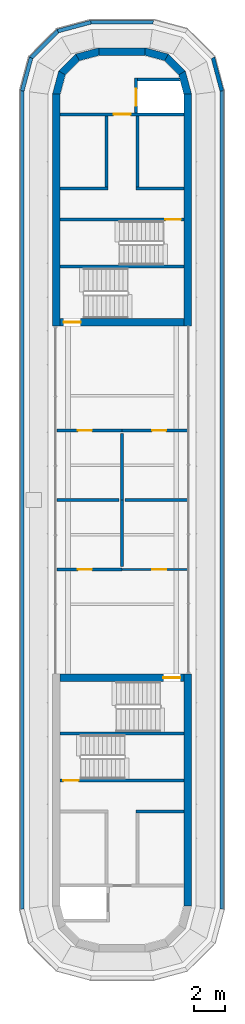
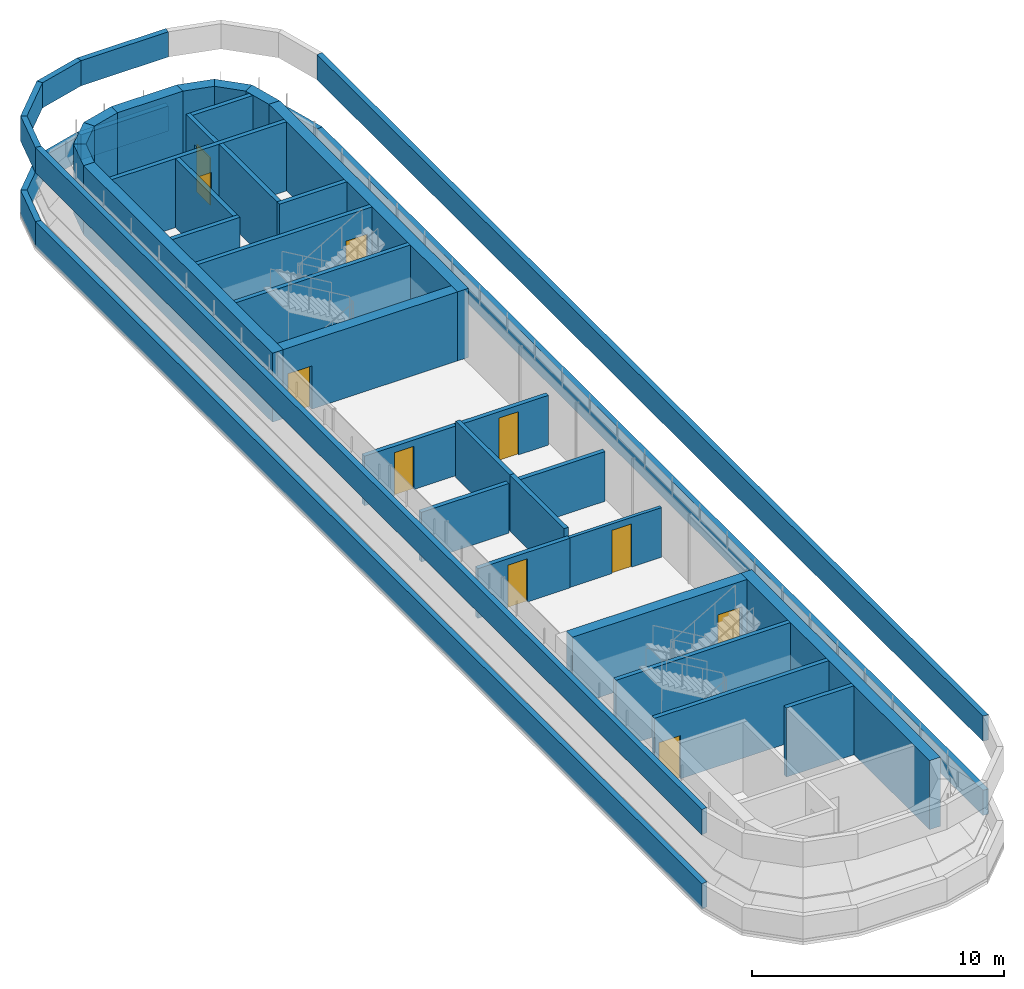
# One storey, part 3 of 6: 45 walls, 10 doors, 10 openings.
"""IFC4 building model written with IfcOpenShell, lengths in metres."""

from ifc_helpers import new_model, si_unit, direction, frame, frame_2d, origin, place, context, subcontext, project, spatial, polyline, rectangle, outline, extrude, material, layer, layer_set, type_object, element, fill, save


model = new_model("IFC4")

# Units and contexts
model_context = context("Model", 3, precision=1e-05, world=origin(), true_north=direction((0.0, 1.0)))
body_context = subcontext(model_context, "Body", "Model", "MODEL_VIEW")
ifc_project = project(units=[si_unit("LENGTHUNIT", "METRE"), si_unit("AREAUNIT", "SQUARE_METRE"), si_unit("VOLUMEUNIT", "CUBIC_METRE"), si_unit("PLANEANGLEUNIT", "RADIAN"), si_unit("MASSUNIT", "GRAM", prefix="KILO")], contexts=[model_context])

# Site, building, storey
site_placement = place(None, origin())
site = spatial("IfcSite", under=ifc_project, at=site_placement, CompositionType="ELEMENT")
building_placement = place(site_placement, origin())
building = spatial("IfcBuilding", under=site, at=building_placement, Name="Zarbagh Exchange Tower", CompositionType="ELEMENT")
storey_placement = place(building_placement, frame((0.0, 0.0, 316.800048828125)))
storey = spatial("IfcBuildingStorey", under=building, at=storey_placement, Name="L78", CompositionType="ELEMENT", Elevation=316.800048828125)

# Wall, opening, door
ifc_material_1 = material(Name="Plasterboard partition")
ifc_layer_1 = layer(ifc_material_1, 0.14990234375)
ifc_layer_set_1 = layer_set([ifc_layer_1], Name="Board partition 150")
wall_type_1 = type_object("IfcWallType", Name="Board partition 150", PredefinedType="PARTITIONING", material=ifc_layer_set_1)
wall_1_placement = place(storey_placement, frame((0.0, -4.5, 0.0), z_axis=(0.0, 0.0, 1.0), x_axis=(1.0, 0.0, 0.0)))
wall_1 = element("IfcWall", 1, at=wall_1_placement, inside=storey, type_object=wall_type_1, Name="WL-L78-W004", PredefinedType="PARTITIONING", context=body_context, shape_type="SweptSolid", body=[
    extrude(rectangle(XDim=4.219970703125, YDim=0.14990234375, at=frame_2d((2.10986328125, 0.0))), origin(), (0.0, 0.0, 1.0), 2.41064453125),
])
opening_1_placement = place(wall_1_placement, frame((1.949951171875, 0.0, 0.0)))
opening_1 = element("IfcOpeningElement", 2, at=opening_1_placement, cuts=wall_1, Name="Opening D37", PredefinedType="OPENING", context=body_context, shape_type="SweptSolid", body=[
    extrude(rectangle(XDim=0.89990234375, YDim=2.10009765625, at=frame_2d((0.449951171875, 1.050048828125))), frame((0.0, 0.0849609375, 0.0), z_axis=(0.0, -1.0, 0.0), x_axis=(1.0, 0.0, 0.0)), (0.0, 0.0, 1.0), 0.169921875),
])
ifc_material_2 = material(Name="Timber door leaf", Category="wood")
door_type_1 = type_object("IfcDoorType", Name="Door single 900x2100", OperationType="SINGLE_SWING_LEFT", PredefinedType="DOOR", material=ifc_material_2)
door_1_placement = place(opening_1_placement, origin())
door_1 = element("IfcDoor", 3, at=door_1_placement, inside=storey, type_object=door_type_1, Name="D04", OperationType="SINGLE_SWING_LEFT", OverallHeight=2.10009765625, OverallWidth=0.89990234375, PredefinedType="DOOR", context=body_context, shape_type="SweptSolid", body=[
    extrude(rectangle(XDim=0.89990234375, YDim=2.10009765625, at=frame_2d((0.449951171875, 1.050048828125))), frame((0.0, 0.02490234375, 0.0), z_axis=(0.0, -1.0, 0.0), x_axis=(1.0, 0.0, 0.0)), (0.0, 0.0, 1.0), 0.050048828125),
])
fill(opening_1, door_1)

ifc_material_3 = material(Name="Concrete block partition", Category="concrete")
ifc_layer_2 = layer(ifc_material_3, 0.199951171875)
ifc_layer_set_2 = layer_set([ifc_layer_2], Name="Fire-rated block partition 200 EI 60")
wall_type_2 = type_object("IfcWallType", Name="Fire-rated block partition 200 EI 60", PredefinedType="PARTITIONING", material=ifc_layer_set_2)
wall_2_placement = place(storey_placement, frame((0.0, 4.5, 0.0), z_axis=(0.0, 0.0, 1.0), x_axis=(-1.0, 0.0, 0.0)))
wall_2 = element("IfcWall", 4, at=wall_2_placement, inside=storey, type_object=wall_type_2, Name="WL-L78-W001", PredefinedType="PARTITIONING", context=body_context, shape_type="SweptSolid", body=[
    extrude(rectangle(XDim=4.219970703125, YDim=0.199951171875, at=frame_2d((2.10986328125, 0.0))), origin(), (0.0, 0.0, 1.0), 2.41064453125),
])
opening_2_placement = place(wall_2_placement, frame((1.949951171875, 0.0, 0.0)))
opening_2 = element("IfcOpeningElement", 5, at=opening_2_placement, cuts=wall_2, Name="Opening D01", PredefinedType="OPENING", context=body_context, shape_type="SweptSolid", body=[
    extrude(rectangle(XDim=0.89990234375, YDim=2.10009765625, at=frame_2d((0.449951171875, 1.050048828125))), frame((0.0, 0.10986328125, 0.0), z_axis=(0.0, -1.0, 0.0), x_axis=(1.0, 0.0, 0.0)), (0.0, 0.0, 1.0), 0.219970703125),
])
ifc_material_4 = material(Name="Steel door set", Category="steel")
door_type_2 = type_object("IfcDoorType", Name="Door single 900x2100 EI 60", OperationType="SINGLE_SWING_LEFT", PredefinedType="DOOR", material=ifc_material_4)
door_2_placement = place(opening_2_placement, origin())
door_2 = element("IfcDoor", 6, at=door_2_placement, inside=storey, type_object=door_type_2, Name="D01", OperationType="SINGLE_SWING_LEFT", OverallHeight=2.10009765625, OverallWidth=0.89990234375, PredefinedType="DOOR", context=body_context, shape_type="SweptSolid", body=[
    extrude(rectangle(XDim=0.89990234375, YDim=2.10009765625, at=frame_2d((0.449951171875, 1.050048828125))), frame((0.0, 0.02490234375, 0.0), z_axis=(0.0, -1.0, 0.0), x_axis=(1.0, 0.0, 0.0)), (0.0, 0.0, 1.0), 0.050048828125),
])
fill(opening_2, door_2)

wall_3_placement = place(storey_placement, frame((4.219970703125, 4.5, 0.0), z_axis=(0.0, 0.0, 1.0), x_axis=(-1.0, 0.0, 0.0)))
wall_3 = element("IfcWall", 7, at=wall_3_placement, inside=storey, type_object=wall_type_2, Name="WL-L78-W002", PredefinedType="PARTITIONING", context=body_context, shape_type="SweptSolid", body=[
    extrude(rectangle(XDim=4.219970703125, YDim=0.199951171875, at=frame_2d((2.10986328125, 0.0))), origin(), (0.0, 0.0, 1.0), 2.41064453125),
])
opening_3_placement = place(wall_3_placement, frame((1.3701171875, 0.0, 0.0)))
opening_3 = element("IfcOpeningElement", 8, at=opening_3_placement, cuts=wall_3, Name="Opening D02", PredefinedType="OPENING", context=body_context, shape_type="SweptSolid", body=[
    extrude(rectangle(XDim=0.89990234375, YDim=2.10009765625, at=frame_2d((0.449951171875, 1.050048828125))), frame((0.0, 0.10986328125, 0.0), z_axis=(0.0, -1.0, 0.0), x_axis=(1.0, 0.0, 0.0)), (0.0, 0.0, 1.0), 0.219970703125),
])
door_3_placement = place(opening_3_placement, origin())
door_3 = element("IfcDoor", 9, at=door_3_placement, inside=storey, type_object=door_type_2, Name="D02", OperationType="SINGLE_SWING_LEFT", OverallHeight=2.10009765625, OverallWidth=0.89990234375, PredefinedType="DOOR", context=body_context, shape_type="SweptSolid", body=[
    extrude(rectangle(XDim=0.89990234375, YDim=2.10009765625, at=frame_2d((0.449951171875, 1.050048828125))), frame((0.0, 0.02490234375, 0.0), z_axis=(0.0, -1.0, 0.0), x_axis=(1.0, 0.0, 0.0)), (0.0, 0.0, 1.0), 0.050048828125),
])
fill(opening_3, door_3)

wall_4_placement = place(storey_placement, frame((-4.219970703125, -4.5, 0.0), z_axis=(0.0, 0.0, 1.0), x_axis=(1.0, 0.0, 0.0)))
wall_4 = element("IfcWall", 10, at=wall_4_placement, inside=storey, type_object=wall_type_2, Name="WL-L78-W003", PredefinedType="PARTITIONING", context=body_context, shape_type="SweptSolid", body=[
    extrude(rectangle(XDim=4.219970703125, YDim=0.199951171875, at=frame_2d((2.10986328125, 0.0))), origin(), (0.0, 0.0, 1.0), 2.41064453125),
])
opening_4_placement = place(wall_4_placement, frame((1.3701171875, 0.0, 0.0)))
opening_4 = element("IfcOpeningElement", 11, at=opening_4_placement, cuts=wall_4, Name="Opening D03", PredefinedType="OPENING", context=body_context, shape_type="SweptSolid", body=[
    extrude(rectangle(XDim=0.89990234375, YDim=2.10009765625, at=frame_2d((0.449951171875, 1.050048828125))), frame((0.0, 0.10986328125, 0.0), z_axis=(0.0, -1.0, 0.0), x_axis=(1.0, 0.0, 0.0)), (0.0, 0.0, 1.0), 0.219970703125),
])
door_4_placement = place(opening_4_placement, origin())
door_4 = element("IfcDoor", 12, at=door_4_placement, inside=storey, type_object=door_type_2, Name="D03", OperationType="SINGLE_SWING_LEFT", OverallHeight=2.10009765625, OverallWidth=0.89990234375, PredefinedType="DOOR", context=body_context, shape_type="SweptSolid", body=[
    extrude(rectangle(XDim=0.89990234375, YDim=2.10009765625, at=frame_2d((0.449951171875, 1.050048828125))), frame((0.0, 0.02490234375, 0.0), z_axis=(0.0, -1.0, 0.0), x_axis=(1.0, 0.0, 0.0)), (0.0, 0.0, 1.0), 0.050048828125),
])
fill(opening_4, door_4)

# Walls
wall_5_placement = place(storey_placement, frame((0.0, 4.300048828125, 0.0), z_axis=(0.0, 0.0, 1.0), x_axis=(0.0, -1.0, 0.0)))
element("IfcWall", 13, at=wall_5_placement, inside=storey, type_object=wall_type_2, Name="WL-L78-W005", PredefinedType="PARTITIONING", context=body_context, shape_type="SweptSolid", body=[
    extrude(rectangle(XDim=4.300048828125, YDim=0.199951171875, at=frame_2d((2.14990234375, 0.0))), origin(), (0.0, 0.0, 1.0), 2.72802734375),
])
for number, where, z_axis, x_axis, name in (
    (14, (-0.199951171875, 0.0, 0.0), (0.0, 0.0, 1.0), (-1.0, 0.0, 0.0), "WL-L78-W006"),
    (15, (4.219970703125, 0.0, 0.0), (0.0, 0.0, 1.0), (-1.0, 0.0, 0.0), "WL-L78-W007"),
):
    element("IfcWall", number, at=place(storey_placement, frame(where, z_axis=z_axis, x_axis=x_axis)), inside=storey, type_object=wall_type_2, Name=name, PredefinedType="PARTITIONING", context=body_context, shape_type="SweptSolid", body=[
        extrude(rectangle(XDim=4.02001953125, YDim=0.199951171875, at=frame_2d((2.010009765625, 0.0))), origin(), (0.0, 0.0, 1.0), 2.41064453125),
    ])
wall_6_placement = place(storey_placement, frame((0.0, 0.0, 0.0), z_axis=(0.0, 0.0, 1.0), x_axis=(0.0, -1.0, 0.0)))
element("IfcWall", 16, at=wall_6_placement, inside=storey, type_object=wall_type_2, Name="WL-L78-W008", PredefinedType="PARTITIONING", context=body_context, shape_type="SweptSolid", body=[
    extrude(rectangle(XDim=4.300048828125, YDim=0.199951171875, at=frame_2d((2.14990234375, 0.0))), origin(), (0.0, 0.0, 1.0), 2.72802734375),
])
ifc_material_5 = material(Name="Concrete C40/50", Category="concrete")
ifc_layer_3 = layer(ifc_material_5, 0.25)
ifc_layer_set_3 = layer_set([ifc_layer_3], Name="Parapet wall, concrete C40/50")
wall_type_3 = type_object("IfcWallType", Name="Parapet wall, concrete C40/50", PredefinedType="PARAPET", material=ifc_layer_set_3)
wall_7_placement = place(storey_placement, origin())
element("IfcWall", 17, at=wall_7_placement, inside=storey, type_object=wall_type_3, Name="roof parapet", PredefinedType="PARAPET", context=body_context, shape_type="SweptSolid", body=[
    extrude(outline(polyline([(-6.580078125, -26.484375), (-6.580078125, 26.484375), (-6.330078125, 26.451416015625), (-6.330078125, -26.451416015625), (-6.580078125, -26.484375)])), origin(), (0.0, 0.0, 1.0), 1.219970703125),
])
wall_8_placement = place(storey_placement, origin())
element("IfcWall", 18, at=wall_8_placement, inside=storey, type_object=wall_type_3, Name="roof parapet", PredefinedType="PARAPET", context=body_context, shape_type="SweptSolid", body=[
    extrude(outline(polyline([(-6.580078125, 26.484375), (-5.993896484375, 28.67138671875), (-5.769775390625, 28.5419921875), (-6.330078125, 26.451416015625), (-6.580078125, 26.484375)])), origin(), (0.0, 0.0, 1.0), 1.219970703125),
])
wall_9_placement = place(storey_placement, origin())
element("IfcWall", 19, at=wall_9_placement, inside=storey, type_object=wall_type_3, Name="roof parapet", PredefinedType="PARAPET", context=body_context, shape_type="SweptSolid", body=[
    extrude(outline(polyline([(-5.993896484375, 28.67138671875), (-4.221435546875, 30.444091796875), (-4.092041015625, 30.2197265625), (-5.769775390625, 28.5419921875), (-5.993896484375, 28.67138671875)])), origin(), (0.0, 0.0, 1.0), 1.219970703125),
])
wall_10_placement = place(storey_placement, origin())
element("IfcWall", 20, at=wall_10_placement, inside=storey, type_object=wall_type_3, Name="roof parapet", PredefinedType="PARAPET", context=body_context, shape_type="SweptSolid", body=[
    extrude(outline(polyline([(-4.221435546875, 30.444091796875), (-2.0341796875, 31.030029296875), (-2.00146484375, 30.780029296875), (-4.092041015625, 30.2197265625), (-4.221435546875, 30.444091796875)])), origin(), (0.0, 0.0, 1.0), 1.219970703125),
])
wall_11_placement = place(storey_placement, origin())
element("IfcWall", 21, at=wall_11_placement, inside=storey, type_object=wall_type_3, Name="roof parapet", PredefinedType="PARAPET", context=body_context, shape_type="SweptSolid", body=[
    extrude(outline(polyline([(-2.0341796875, 31.030029296875), (2.0341796875, 31.030029296875), (2.00146484375, 30.780029296875), (-2.00146484375, 30.780029296875), (-2.0341796875, 31.030029296875)])), origin(), (0.0, 0.0, 1.0), 1.219970703125),
])
wall_12_placement = place(storey_placement, origin())
element("IfcWall", 22, at=wall_12_placement, inside=storey, type_object=wall_type_3, Name="roof parapet", PredefinedType="PARAPET", context=body_context, shape_type="SweptSolid", body=[
    extrude(outline(polyline([(5.993896484375, 28.67138671875), (6.580078125, 26.484375), (6.330078125, 26.451416015625), (5.769775390625, 28.5419921875), (5.993896484375, 28.67138671875)])), origin(), (0.0, 0.0, 1.0), 1.219970703125),
])
wall_13_placement = place(storey_placement, origin())
element("IfcWall", 23, at=wall_13_placement, inside=storey, type_object=wall_type_3, Name="roof parapet", PredefinedType="PARAPET", context=body_context, shape_type="SweptSolid", body=[
    extrude(outline(polyline([(6.580078125, 26.484375), (6.580078125, -26.484375), (6.330078125, -26.451416015625), (6.330078125, 26.451416015625), (6.580078125, 26.484375)])), origin(), (0.0, 0.0, 1.0), 1.219970703125),
])
wall_14_placement = place(storey_placement, frame((0.0, 0.0, 3.599853515625)))
element("IfcWall", 24, at=wall_14_placement, inside=storey, type_object=wall_type_3, Name="roof parapet", PredefinedType="PARAPET", context=body_context, shape_type="SweptSolid", body=[
    extrude(outline(polyline([(-6.580078125, -26.484375), (-6.580078125, 26.484375), (-6.330078125, 26.451416015625), (-6.330078125, -26.451416015625), (-6.580078125, -26.484375)])), origin(), (0.0, 0.0, 1.0), 1.22021484375),
])
wall_15_placement = place(storey_placement, frame((0.0, 0.0, 3.599853515625)))
element("IfcWall", 25, at=wall_15_placement, inside=storey, type_object=wall_type_3, Name="roof parapet", PredefinedType="PARAPET", context=body_context, shape_type="SweptSolid", body=[
    extrude(outline(polyline([(-6.580078125, 26.484375), (-5.993896484375, 28.67138671875), (-5.769775390625, 28.5419921875), (-6.330078125, 26.451416015625), (-6.580078125, 26.484375)])), origin(), (0.0, 0.0, 1.0), 1.22021484375),
])
wall_16_placement = place(storey_placement, frame((0.0, 0.0, 3.599853515625)))
element("IfcWall", 26, at=wall_16_placement, inside=storey, type_object=wall_type_3, Name="roof parapet", PredefinedType="PARAPET", context=body_context, shape_type="SweptSolid", body=[
    extrude(outline(polyline([(-5.993896484375, 28.67138671875), (-4.221435546875, 30.444091796875), (-4.092041015625, 30.2197265625), (-5.769775390625, 28.5419921875), (-5.993896484375, 28.67138671875)])), origin(), (0.0, 0.0, 1.0), 1.22021484375),
])
wall_17_placement = place(storey_placement, frame((0.0, 0.0, 3.599853515625)))
element("IfcWall", 27, at=wall_17_placement, inside=storey, type_object=wall_type_3, Name="roof parapet", PredefinedType="PARAPET", context=body_context, shape_type="SweptSolid", body=[
    extrude(outline(polyline([(-4.221435546875, 30.444091796875), (-2.0341796875, 31.030029296875), (-2.00146484375, 30.780029296875), (-4.092041015625, 30.2197265625), (-4.221435546875, 30.444091796875)])), origin(), (0.0, 0.0, 1.0), 1.22021484375),
])
wall_18_placement = place(storey_placement, frame((0.0, 0.0, 3.599853515625)))
element("IfcWall", 28, at=wall_18_placement, inside=storey, type_object=wall_type_3, Name="roof parapet", PredefinedType="PARAPET", context=body_context, shape_type="SweptSolid", body=[
    extrude(outline(polyline([(-2.0341796875, 31.030029296875), (2.0341796875, 31.030029296875), (2.00146484375, 30.780029296875), (-2.00146484375, 30.780029296875), (-2.0341796875, 31.030029296875)])), origin(), (0.0, 0.0, 1.0), 1.22021484375),
])
wall_19_placement = place(storey_placement, frame((0.0, 0.0, 3.599853515625)))
element("IfcWall", 29, at=wall_19_placement, inside=storey, type_object=wall_type_3, Name="roof parapet", PredefinedType="PARAPET", context=body_context, shape_type="SweptSolid", body=[
    extrude(outline(polyline([(6.580078125, 26.484375), (6.580078125, -26.484375), (6.330078125, -26.451416015625), (6.330078125, 26.451416015625), (6.580078125, 26.484375)])), origin(), (0.0, 0.0, 1.0), 1.22021484375),
])
ifc_layer_4 = layer(ifc_material_5, 0.5)
ifc_layer_set_4 = layer_set([ifc_layer_4], Name="RC core corner wall 500 C40/50")
wall_type_4 = type_object("IfcWallType", Name="RC core corner wall 500 C40/50", PredefinedType="SHEAR", material=ifc_layer_set_4)
wall_20_placement = place(storey_placement, origin())
element("IfcWall", 30, at=wall_20_placement, inside=storey, type_object=wall_type_4, Name="CW10 core N corner W", PredefinedType="SHEAR", context=body_context, shape_type="SweptSolid", body=[
    extrude(outline(polyline([(-4.5, 26.25), (-4.09814453125, 27.75), (-3.6650390625, 27.5), (-4.0, 26.25), (-4.5, 26.25)])), origin(), (0.0, 0.0, 1.0), 3.349853515625),
])
wall_21_placement = place(storey_placement, origin())
element("IfcWall", 31, at=wall_21_placement, inside=storey, type_object=wall_type_4, Name="CW10 core N corner W", PredefinedType="SHEAR", context=body_context, shape_type="SweptSolid", body=[
    extrude(outline(polyline([(-4.09814453125, 27.75), (-3.0, 28.84814453125), (-2.75, 28.4150390625), (-3.6650390625, 27.5), (-4.09814453125, 27.75)])), origin(), (0.0, 0.0, 1.0), 3.349853515625),
])
wall_22_placement = place(storey_placement, origin())
element("IfcWall", 32, at=wall_22_placement, inside=storey, type_object=wall_type_4, Name="CW10 core N corner W", PredefinedType="SHEAR", context=body_context, shape_type="SweptSolid", body=[
    extrude(outline(polyline([(-3.0, 28.84814453125), (-1.5, 29.25), (-1.5, 28.75), (-2.75, 28.4150390625), (-3.0, 28.84814453125)])), origin(), (0.0, 0.0, 1.0), 3.349853515625),
])
wall_23_placement = place(storey_placement, origin())
element("IfcWall", 33, at=wall_23_placement, inside=storey, type_object=wall_type_4, Name="CW10 core N corner E", PredefinedType="SHEAR", context=body_context, shape_type="SweptSolid", body=[
    extrude(outline(polyline([(4.5, 26.25), (4.09814453125, 27.75), (3.6650390625, 27.5), (4.0, 26.25), (4.5, 26.25)])), origin(), (0.0, 0.0, 1.0), 3.349853515625),
])
wall_24_placement = place(storey_placement, origin())
element("IfcWall", 34, at=wall_24_placement, inside=storey, type_object=wall_type_4, Name="CW10 core N corner E", PredefinedType="SHEAR", context=body_context, shape_type="SweptSolid", body=[
    extrude(outline(polyline([(4.09814453125, 27.75), (3.0, 28.84814453125), (2.75, 28.4150390625), (3.6650390625, 27.5), (4.09814453125, 27.75)])), origin(), (0.0, 0.0, 1.0), 3.349853515625),
])
wall_25_placement = place(storey_placement, origin())
element("IfcWall", 35, at=wall_25_placement, inside=storey, type_object=wall_type_4, Name="CW10 core N corner E", PredefinedType="SHEAR", context=body_context, shape_type="SweptSolid", body=[
    extrude(outline(polyline([(3.0, 28.84814453125), (1.5, 29.25), (1.5, 28.75), (2.75, 28.4150390625), (3.0, 28.84814453125)])), origin(), (0.0, 0.0, 1.0), 3.349853515625),
])
ifc_layer_5 = layer(ifc_material_5, 0.5)
ifc_layer_set_5 = layer_set([ifc_layer_5], Name="RC core wall 500 C40/50")
wall_type_5 = type_object("IfcWallType", Name="RC core wall 500 C40/50", PredefinedType="SHEAR", material=ifc_layer_set_5)
for number, where, z_axis, x_axis, name in (
    (36, (-4.25, 11.25, 0.0), (0.0, 0.0, 1.0), (0.0, 1.0, 0.0), "CW9 core N W"),
    (37, (4.25, 11.25, 0.0), (0.0, 0.0, 1.0), (0.0, 1.0, 0.0), "CW9 core N E"),
):
    element("IfcWall", number, at=place(storey_placement, frame(where, z_axis=z_axis, x_axis=x_axis)), inside=storey, type_object=wall_type_5, Name=name, PredefinedType="SHEAR", context=body_context, shape_type="SweptSolid", body=[
        extrude(rectangle(XDim=15.0, YDim=0.5, at=frame_2d((7.5, 0.0))), origin(), (0.0, 0.0, 1.0), 3.349853515625),
    ])

# Wall, opening, door
wall_26_placement = place(storey_placement, frame((-4.0, 11.5, 0.0), z_axis=(0.0, 0.0, 1.0), x_axis=(1.0, 0.0, 0.0)))
wall_26 = element("IfcWall", 38, at=wall_26_placement, inside=storey, type_object=wall_type_5, Name="CW9 core N inner end", PredefinedType="SHEAR", context=body_context, shape_type="SweptSolid", body=[
    extrude(rectangle(XDim=8.0, YDim=0.5, at=frame_2d((4.0, 0.0))), origin(), (0.0, 0.0, 1.0), 3.349853515625),
])
opening_5_placement = place(wall_26_placement, frame((0.22509765625, 0.0, 0.0)))
opening_5 = element("IfcOpeningElement", 39, at=opening_5_placement, cuts=wall_26, Name="Opening SD1-1100", PredefinedType="OPENING", context=body_context, shape_type="SweptSolid", body=[
    extrude(rectangle(XDim=1.10009765625, YDim=2.10009765625, at=frame_2d((0.550048828125, 1.050048828125))), frame((0.0, 0.260009765625, 0.0), z_axis=(0.0, -1.0, 0.0), x_axis=(1.0, 0.0, 0.0)), (0.0, 0.0, 1.0), 0.52001953125),
])
ifc_material_6 = material(Name="Steel", Category="steel")
door_type_3 = type_object("IfcDoorType", Name="Exit stair door 1100 x 2100", OperationType="NOTDEFINED", PredefinedType="DOOR", material=ifc_material_6)
door_5_placement = place(opening_5_placement, origin())
door_5 = element("IfcDoor", 40, at=door_5_placement, inside=storey, type_object=door_type_3, Name="North core stair door ST2", OperationType="SINGLE_SWING_LEFT", OverallHeight=2.10009765625, OverallWidth=1.10009765625, PredefinedType="DOOR", context=body_context, shape_type="SweptSolid", body=[
    extrude(rectangle(XDim=1.10009765625, YDim=2.10009765625, at=frame_2d((0.550048828125, 1.050048828125))), frame((0.0, 0.02490234375, 0.0), z_axis=(0.0, -1.0, 0.0), x_axis=(1.0, 0.0, 0.0)), (0.0, 0.0, 1.0), 0.050048828125),
])
fill(opening_5, door_5)

# Walls
wall_27_placement = place(storey_placement, frame((-1.5, 29.0, 0.0), z_axis=(0.0, 0.0, 1.0), x_axis=(1.0, 0.0, 0.0)))
element("IfcWall", 41, at=wall_27_placement, inside=storey, type_object=wall_type_5, Name="CW9 core N outer end", PredefinedType="SHEAR", context=body_context, shape_type="SweptSolid", body=[
    extrude(rectangle(XDim=3.0, YDim=0.5, at=frame_2d((1.5, 0.0))), origin(), (0.0, 0.0, 1.0), 3.349853515625),
])
wall_28_placement = place(storey_placement, frame((4.25, -11.25, 0.0), z_axis=(0.0, 0.0, 1.0), x_axis=(0.0, -1.0, 0.0)))
element("IfcWall", 42, at=wall_28_placement, inside=storey, type_object=wall_type_5, Name="CW9 core S E", PredefinedType="SHEAR", context=body_context, shape_type="SweptSolid", body=[
    extrude(rectangle(XDim=15.0, YDim=0.5, at=frame_2d((7.5, 0.0))), origin(), (0.0, 0.0, 1.0), 3.349853515625),
])

# Wall, opening, door
wall_29_placement = place(storey_placement, frame((-4.0, -11.5, 0.0), z_axis=(0.0, 0.0, 1.0), x_axis=(1.0, 0.0, 0.0)))
wall_29 = element("IfcWall", 43, at=wall_29_placement, inside=storey, type_object=wall_type_5, Name="CW9 core S inner end", PredefinedType="SHEAR", context=body_context, shape_type="SweptSolid", body=[
    extrude(rectangle(XDim=8.0, YDim=0.5, at=frame_2d((4.0, 0.0))), origin(), (0.0, 0.0, 1.0), 3.349853515625),
])
opening_6_placement = place(wall_29_placement, frame((6.675048828125, 0.0, 0.0)))
opening_6 = element("IfcOpeningElement", 44, at=opening_6_placement, cuts=wall_29, Name="Opening SD1-1100", PredefinedType="OPENING", context=body_context, shape_type="SweptSolid", body=[
    extrude(rectangle(XDim=1.10009765625, YDim=2.10009765625, at=frame_2d((0.550048828125, 1.050048828125))), frame((0.0, 0.260009765625, 0.0), z_axis=(0.0, -1.0, 0.0), x_axis=(1.0, 0.0, 0.0)), (0.0, 0.0, 1.0), 0.52001953125),
])
door_6_placement = place(opening_6_placement, origin())
door_6 = element("IfcDoor", 45, at=door_6_placement, inside=storey, type_object=door_type_3, Name="South core stair door ST2", OperationType="SINGLE_SWING_LEFT", OverallHeight=2.10009765625, OverallWidth=1.10009765625, PredefinedType="DOOR", context=body_context, shape_type="SweptSolid", body=[
    extrude(rectangle(XDim=1.10009765625, YDim=2.10009765625, at=frame_2d((0.550048828125, 1.050048828125))), frame((0.0, 0.02490234375, 0.0), z_axis=(0.0, -1.0, 0.0), x_axis=(1.0, 0.0, 0.0)), (0.0, 0.0, 1.0), 0.050048828125),
])
fill(opening_6, door_6)

# Walls
ifc_material_7 = material(Name="Dense blockwork", Category="masonry")
ifc_layer_6 = layer(ifc_material_7, 0.199951171875)
ifc_layer_set_6 = layer_set([ifc_layer_6], Name="Shaft wall 200 mm blockwork")
wall_type_6 = type_object("IfcWallType", Name="Shaft wall 200 mm blockwork", PredefinedType="PARTITIONING", material=ifc_layer_set_6)
wall_30_placement = place(storey_placement, frame((-4.0, 20.14990234375, 0.0), z_axis=(0.0, 0.0, 1.0), x_axis=(1.0, 0.0, 0.0)))
element("IfcWall", 46, at=wall_30_placement, inside=storey, type_object=wall_type_6, Name="North core shaft wall AB-W", PredefinedType="PARTITIONING", context=body_context, shape_type="SweptSolid", body=[
    extrude(rectangle(XDim=3.10009765625, YDim=0.199951171875, at=frame_2d((1.550048828125, 0.0))), origin(), (0.0, 0.0, 1.0), 3.349853515625),
])
wall_31_placement = place(storey_placement, frame((-1.0, 24.85009765625, 0.0), z_axis=(0.0, 0.0, 1.0), x_axis=(0.0, -1.0, 0.0)))
element("IfcWall", 47, at=wall_31_placement, inside=storey, type_object=wall_type_6, Name="North core shaft wall LW-W", PredefinedType="PARTITIONING", context=body_context, shape_type="SweptSolid", body=[
    extrude(rectangle(XDim=4.60009765625, YDim=0.199951171875, at=frame_2d((2.300048828125, 0.0))), origin(), (0.0, 0.0, 1.0), 3.349853515625),
])
wall_32_placement = place(storey_placement, frame((0.89990234375, 20.14990234375, 0.0), z_axis=(0.0, 0.0, 1.0), x_axis=(1.0, 0.0, 0.0)))
element("IfcWall", 48, at=wall_32_placement, inside=storey, type_object=wall_type_6, Name="North core shaft wall AB-E", PredefinedType="PARTITIONING", context=body_context, shape_type="SweptSolid", body=[
    extrude(rectangle(XDim=3.10009765625, YDim=0.199951171875, at=frame_2d((1.550048828125, 0.0))), origin(), (0.0, 0.0, 1.0), 3.349853515625),
])
wall_33_placement = place(storey_placement, frame((1.0, 24.85009765625, 0.0), z_axis=(0.0, 0.0, 1.0), x_axis=(0.0, -1.0, 0.0)))
element("IfcWall", 49, at=wall_33_placement, inside=storey, type_object=wall_type_6, Name="North core shaft wall LW-E", PredefinedType="PARTITIONING", context=body_context, shape_type="SweptSolid", body=[
    extrude(rectangle(XDim=4.60009765625, YDim=0.199951171875, at=frame_2d((2.300048828125, 0.0))), origin(), (0.0, 0.0, 1.0), 3.349853515625),
])
wall_34_placement = place(storey_placement, frame((4.0, -20.14990234375, 0.0), z_axis=(0.0, 0.0, 1.0), x_axis=(-1.0, 0.0, 0.0)))
element("IfcWall", 50, at=wall_34_placement, inside=storey, type_object=wall_type_6, Name="South core shaft wall AB-W", PredefinedType="PARTITIONING", context=body_context, shape_type="SweptSolid", body=[
    extrude(rectangle(XDim=3.10009765625, YDim=0.199951171875, at=frame_2d((1.550048828125, 0.0))), origin(), (0.0, 0.0, 1.0), 3.349853515625),
])

# Wall, opening, door
ifc_layer_7 = layer(ifc_material_5, 0.199951171875)
ifc_layer_set_7 = layer_set([ifc_layer_7], Name="Stair enclosure wall 200 mm RC C40/50")
wall_type_7 = type_object("IfcWallType", Name="Stair enclosure wall 200 mm RC C40/50", PredefinedType="SHEAR", material=ifc_layer_set_7)
wall_35_placement = place(storey_placement, frame((-4.0, 24.949951171875, 0.0), z_axis=(0.0, 0.0, 1.0), x_axis=(1.0, 0.0, 0.0)))
wall_35 = element("IfcWall", 51, at=wall_35_placement, inside=storey, type_object=wall_type_7, Name="North core lift shaft wall FFA", PredefinedType="SHEAR", context=body_context, shape_type="SweptSolid", body=[
    extrude(rectangle(XDim=8.0, YDim=0.199951171875, at=frame_2d((4.0, 0.0))), origin(), (0.0, 0.0, 1.0), 3.349853515625),
])
opening_7_placement = place(wall_35_placement, frame((3.449951171875, 0.0, 0.0)))
opening_7 = element("IfcOpeningElement", 52, at=opening_7_placement, cuts=wall_35, Name="Opening CD2-1100", PredefinedType="OPENING", context=body_context, shape_type="SweptSolid", body=[
    extrude(rectangle(XDim=1.10009765625, YDim=2.10009765625, at=frame_2d((0.550048828125, 1.050048828125))), frame((0.0, 0.10986328125, 0.0), z_axis=(0.0, -1.0, 0.0), x_axis=(1.0, 0.0, 0.0)), (0.0, 0.0, 1.0), 0.219970703125),
])
door_type_4 = type_object("IfcDoorType", Name="Firefighting lobby door 1100 x 2100", OperationType="NOTDEFINED", PredefinedType="DOOR", material=ifc_material_6)
door_7_placement = place(opening_7_placement, origin())
door_7 = element("IfcDoor", 53, at=door_7_placement, inside=storey, type_object=door_type_4, Name="North core firefighting lobby door CL-FF", OperationType="SINGLE_SWING_LEFT", OverallHeight=2.10009765625, OverallWidth=1.10009765625, PredefinedType="DOOR", context=body_context, shape_type="SweptSolid", body=[
    extrude(rectangle(XDim=1.10009765625, YDim=2.10009765625, at=frame_2d((0.550048828125, 1.050048828125))), frame((0.0, 0.02490234375, 0.0), z_axis=(0.0, -1.0, 0.0), x_axis=(1.0, 0.0, 0.0)), (0.0, 0.0, 1.0), 0.050048828125),
])
fill(opening_7, door_7)

wall_36_placement = place(storey_placement, frame((0.89990234375, 27.300048828125, 0.0), z_axis=(0.0, 0.0, 1.0), x_axis=(0.0, -1.0, 0.0)))
wall_36 = element("IfcWall", 54, at=wall_36_placement, inside=storey, type_object=wall_type_7, Name="North core lift shaft wall FFL", PredefinedType="SHEAR", context=body_context, shape_type="SweptSolid", body=[
    extrude(rectangle(XDim=2.25, YDim=0.199951171875, at=frame_2d((1.125, 0.0))), origin(), (0.0, 0.0, 1.0), 3.349853515625),
])
opening_8_placement = place(wall_36_placement, frame((0.699951171875, 0.0, 0.0)))
opening_8 = element("IfcOpeningElement", 55, at=opening_8_placement, cuts=wall_36, Name="Opening LD-1100", PredefinedType="OPENING", context=body_context, shape_type="SweptSolid", body=[
    extrude(rectangle(XDim=1.10009765625, YDim=2.300048828125, at=frame_2d((0.550048828125, 1.14990234375))), frame((0.0, 0.10986328125, 0.0), z_axis=(0.0, -1.0, 0.0), x_axis=(1.0, 0.0, 0.0)), (0.0, 0.0, 1.0), 0.219970703125),
])
ifc_material_8 = material(Name="Stainless steel", Category="steel")
door_type_5 = type_object("IfcDoorType", Name="Lift landing door 1100 x 2300", OperationType="NOTDEFINED", PredefinedType="DOOR", material=ifc_material_8)
door_8_placement = place(opening_8_placement, origin())
door_8 = element("IfcDoor", 56, at=door_8_placement, inside=storey, type_object=door_type_5, Name="North core lift landing door LD-F", OperationType="DOUBLE_DOOR_SLIDING", OverallHeight=2.300048828125, OverallWidth=1.10009765625, PredefinedType="DOOR", context=body_context, shape_type="SweptSolid", body=[
    extrude(rectangle(XDim=1.10009765625, YDim=2.300048828125, at=frame_2d((0.550048828125, 1.14990234375))), frame((0.0, 0.02490234375, 0.0), z_axis=(0.0, -1.0, 0.0), x_axis=(1.0, 0.0, 0.0)), (0.0, 0.0, 1.0), 0.050048828125),
])
fill(opening_8, door_8)

# Wall
wall_37_placement = place(storey_placement, origin())
element("IfcWall", 57, at=wall_37_placement, inside=storey, type_object=wall_type_7, Name="North core lift shaft wall FFX", PredefinedType="SHEAR", context=body_context, shape_type="SweptSolid", body=[
    extrude(outline(polyline([(1.0, 27.10009765625), (3.754638671875, 27.10009765625), (3.700927734375, 27.300048828125), (1.0, 27.300048828125), (1.0, 27.10009765625)])), origin(), (0.0, 0.0, 1.0), 3.349853515625),
])

# Wall, opening, door
wall_38_placement = place(storey_placement, frame((-4.0, 18.14990234375, 0.0), z_axis=(0.0, 0.0, 1.0), x_axis=(1.0, 0.0, 0.0)))
wall_38 = element("IfcWall", 58, at=wall_38_placement, inside=storey, type_object=wall_type_7, Name="North core stair wall BS", PredefinedType="SHEAR", context=body_context, shape_type="SweptSolid", body=[
    extrude(rectangle(XDim=8.0, YDim=0.199951171875, at=frame_2d((4.0, 0.0))), origin(), (0.0, 0.0, 1.0), 3.349853515625),
])
opening_9_placement = place(wall_38_placement, frame((6.800048828125, 0.0, 0.0)))
opening_9 = element("IfcOpeningElement", 59, at=opening_9_placement, cuts=wall_38, Name="Opening SD2-1000", PredefinedType="OPENING", context=body_context, shape_type="SweptSolid", body=[
    extrude(rectangle(XDim=1.0, YDim=2.10009765625, at=frame_2d((0.5, 1.050048828125))), frame((0.0, 0.10986328125, 0.0), z_axis=(0.0, -1.0, 0.0), x_axis=(1.0, 0.0, 0.0)), (0.0, 0.0, 1.0), 0.219970703125),
])
door_type_6 = type_object("IfcDoorType", Name="Stair to lobby door 1000 x 2100", OperationType="NOTDEFINED", PredefinedType="DOOR", material=ifc_material_6)
door_9_placement = place(opening_9_placement, origin())
door_9 = element("IfcDoor", 60, at=door_9_placement, inside=storey, type_object=door_type_6, Name="North core stair door ST1-PL", OperationType="SINGLE_SWING_LEFT", OverallHeight=2.10009765625, OverallWidth=1.0, PredefinedType="DOOR", context=body_context, shape_type="SweptSolid", body=[
    extrude(rectangle(XDim=1.0, YDim=2.10009765625, at=frame_2d((0.5, 1.050048828125))), frame((0.0, 0.02490234375, 0.0), z_axis=(0.0, -1.0, 0.0), x_axis=(1.0, 0.0, 0.0)), (0.0, 0.0, 1.0), 0.050048828125),
])
fill(opening_9, door_9)

# Wall
wall_39_placement = place(storey_placement, frame((-4.0, 15.10009765625, 0.0), z_axis=(0.0, 0.0, 1.0), x_axis=(1.0, 0.0, 0.0)))
element("IfcWall", 61, at=wall_39_placement, inside=storey, type_object=wall_type_7, Name="North core stair wall ST12", PredefinedType="SHEAR", context=body_context, shape_type="SweptSolid", body=[
    extrude(rectangle(XDim=8.0, YDim=0.199951171875, at=frame_2d((4.0, 0.0))), origin(), (0.0, 0.0, 1.0), 3.349853515625),
])

# Wall, opening, door
wall_40_placement = place(storey_placement, frame((4.0, -18.14990234375, 0.0), z_axis=(0.0, 0.0, 1.0), x_axis=(-1.0, 0.0, 0.0)))
wall_40 = element("IfcWall", 62, at=wall_40_placement, inside=storey, type_object=wall_type_7, Name="South core stair wall BS", PredefinedType="SHEAR", context=body_context, shape_type="SweptSolid", body=[
    extrude(rectangle(XDim=8.0, YDim=0.199951171875, at=frame_2d((4.0, 0.0))), origin(), (0.0, 0.0, 1.0), 3.349853515625),
])
opening_10_placement = place(wall_40_placement, frame((6.800048828125, 0.0, 0.0)))
opening_10 = element("IfcOpeningElement", 63, at=opening_10_placement, cuts=wall_40, Name="Opening SD2-1000", PredefinedType="OPENING", context=body_context, shape_type="SweptSolid", body=[
    extrude(rectangle(XDim=1.0, YDim=2.10009765625, at=frame_2d((0.5, 1.050048828125))), frame((0.0, 0.10986328125, 0.0), z_axis=(0.0, -1.0, 0.0), x_axis=(1.0, 0.0, 0.0)), (0.0, 0.0, 1.0), 0.219970703125),
])
door_10_placement = place(opening_10_placement, origin())
door_10 = element("IfcDoor", 64, at=door_10_placement, inside=storey, type_object=door_type_6, Name="South core stair door ST1-PL", OperationType="SINGLE_SWING_LEFT", OverallHeight=2.10009765625, OverallWidth=1.0, PredefinedType="DOOR", context=body_context, shape_type="SweptSolid", body=[
    extrude(rectangle(XDim=1.0, YDim=2.10009765625, at=frame_2d((0.5, 1.050048828125))), frame((0.0, 0.02490234375, 0.0), z_axis=(0.0, -1.0, 0.0), x_axis=(1.0, 0.0, 0.0)), (0.0, 0.0, 1.0), 0.050048828125),
])
fill(opening_10, door_10)

# Wall
wall_41_placement = place(storey_placement, frame((4.0, -15.10009765625, 0.0), z_axis=(0.0, 0.0, 1.0), x_axis=(-1.0, 0.0, 0.0)))
element("IfcWall", 65, at=wall_41_placement, inside=storey, type_object=wall_type_7, Name="South core stair wall ST12", PredefinedType="SHEAR", context=body_context, shape_type="SweptSolid", body=[
    extrude(rectangle(XDim=8.0, YDim=0.199951171875, at=frame_2d((4.0, 0.0))), origin(), (0.0, 0.0, 1.0), 3.349853515625),
])

save(model, "model.ifc")
